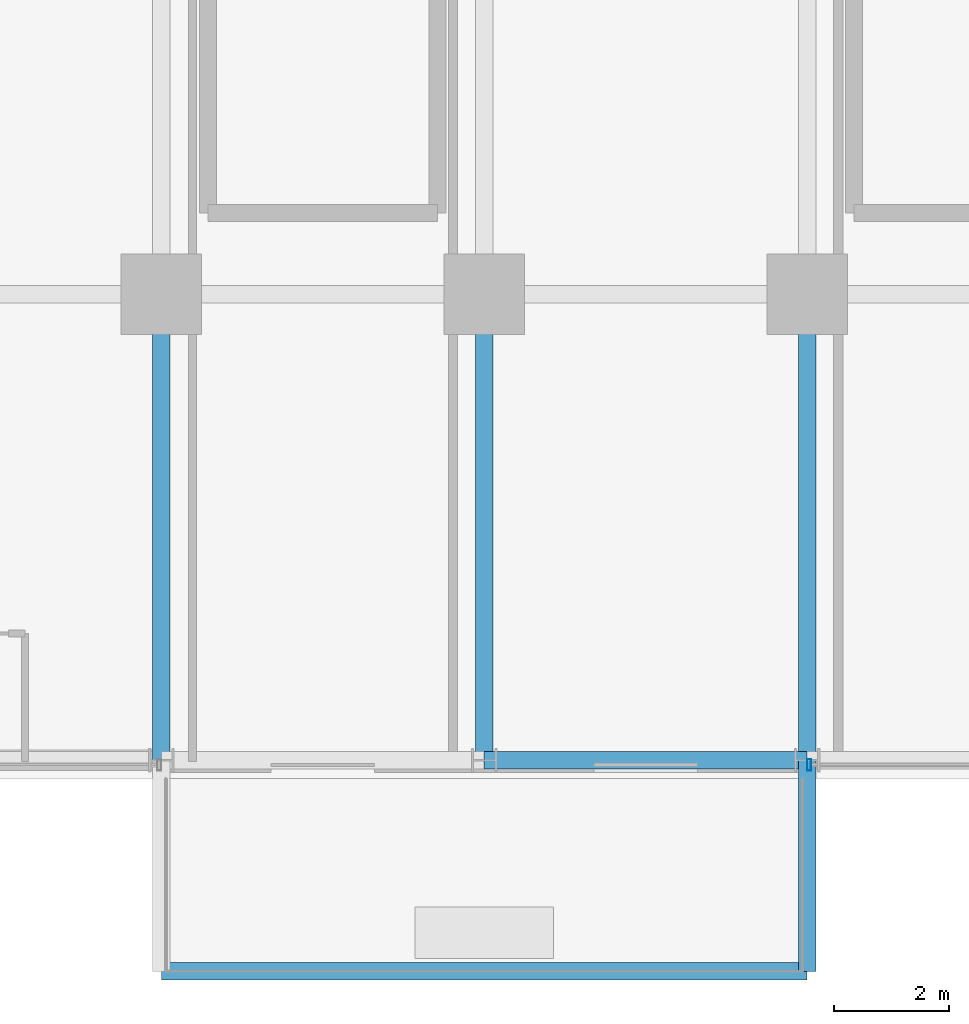
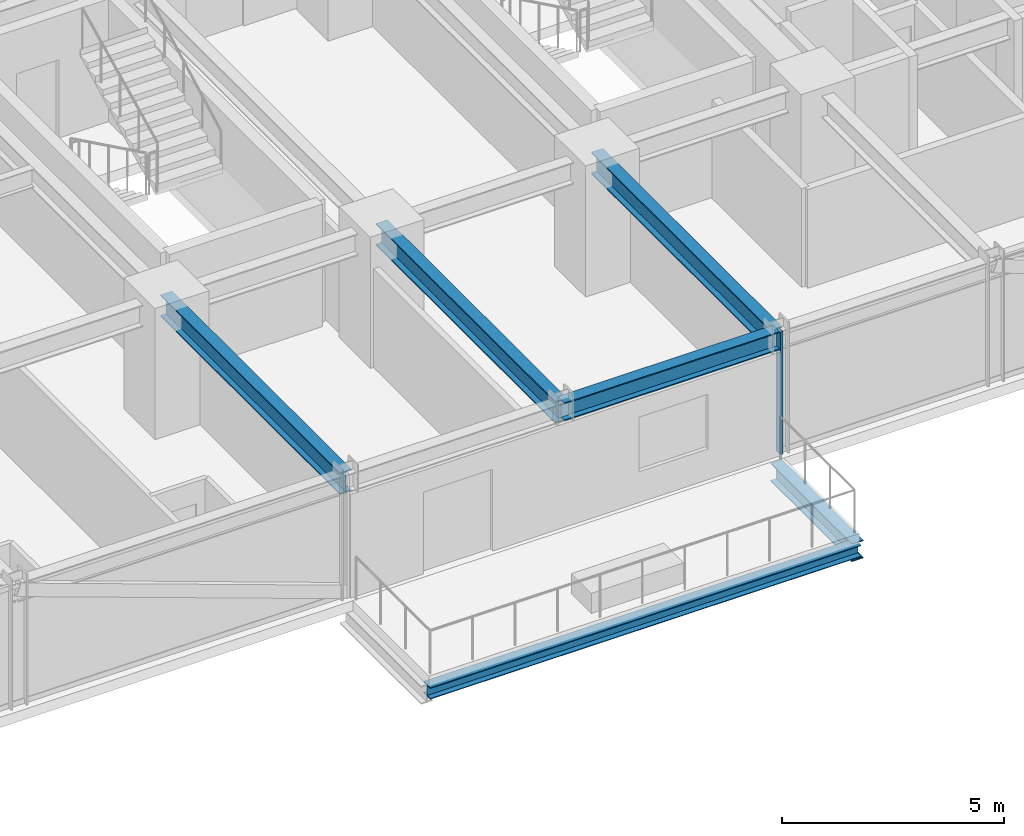
# One storey, part 6 of 38: 6 beams, 1 member, 1 element without a shape of its own.
"""IFC4 building model written with IfcOpenShell, lengths in metres."""

import ifcopenshell
import ifcopenshell.guid

model = None  # the IFC model being written
_history = None  # IfcOwnerHistory: only IFC2X3 demands one
_inside = {}  # id of a spatial element -> (the spatial element, [elements in it])
_under = {}  # id of a project, library or spatial element -> (it, [spatial elements below it])
_declared = {}  # id of a project -> (the project, [libraries it declares])
_typed = {}  # id of a type object -> (the type object, [elements of that type])
_made_of = {}  # id of a material, layer set ... -> (it, [elements and type objects made of it])


def new_model(schema):
    """Start an empty IFC model of exactly this schema.

    Asked for "IFC4X3", IfcOpenShell would pick the latest addendum, in which some entities
    have other attributes; the version numbers below select the first issue.
    IFC2X3 requires an IfcOwnerHistory on every rooted entity: one is made here for all.
    """
    global model, _history
    if schema == "IFC4X3":
        model = ifcopenshell.file(schema_version=(4, 3, 0, 0))
    else:
        model = ifcopenshell.file(schema=schema)
    _inside.clear()
    _under.clear()
    _declared.clear()
    _typed.clear()
    _made_of.clear()
    _history = None
    if model.schema == "IFC2X3":
        org = make("IfcOrganization", Name="unknown")
        user = make(
            "IfcPersonAndOrganization",
            ThePerson=make("IfcPerson", FamilyName="unknown"),
            TheOrganization=org,
        )
        app = make(
            "IfcApplication",
            ApplicationDeveloper=org,
            Version="unknown",
            ApplicationFullName="unknown",
            ApplicationIdentifier="unknown",
        )
        _history = make(
            "IfcOwnerHistory",
            OwningUser=user,
            OwningApplication=app,
            ChangeAction="ADDED",
            CreationDate=0,
        )
    return model


def make(cls, **values):
    """One entity of the class cls with the attributes given. An attribute that is None is left unset."""
    return model.create_entity(
        cls, **{name: value for name, value in values.items() if value is not None}
    )


def rooted(cls, **values):
    """An entity with a GlobalId (a new one), such as an element, a storey or a relation."""
    return make(cls, GlobalId=ifcopenshell.guid.new(), OwnerHistory=_history, **values)


def si_unit(unit_type, name, prefix=None):
    """IfcSIUnit, for example si_unit("LENGTHUNIT", "METRE", prefix="MILLI")."""
    return make("IfcSIUnit", UnitType=unit_type, Prefix=prefix, Name=name)


def assignment(units):
    """IfcUnitAssignment: the units of a project."""
    return None if units is None else make("IfcUnitAssignment", Units=units)


def point(xyz):
    """IfcCartesianPoint."""
    return None if xyz is None else make("IfcCartesianPoint", Coordinates=xyz)


def direction(xyz):
    """IfcDirection."""
    return None if xyz is None else make("IfcDirection", DirectionRatios=xyz)


def frame(location, z_axis=None, x_axis=None):
    """IfcAxis2Placement3D, a coordinate frame: its origin and axes. An axis left out is left unset."""
    return make(
        "IfcAxis2Placement3D",
        Location=point(location),
        Axis=direction(z_axis),
        RefDirection=direction(x_axis),
    )


def frame_2d(location, x_axis=None):
    """IfcAxis2Placement2D, a coordinate frame in the plane: its origin and x axis."""
    return make(
        "IfcAxis2Placement2D", Location=point(location), RefDirection=direction(x_axis)
    )


def origin():
    """The frame at (0, 0, 0) with its axes left unset."""
    return frame((0.0, 0.0, 0.0))


def origin_2d():
    """The frame at (0, 0) in the plane with its x axis left unset."""
    return frame_2d((0.0, 0.0))


def place(relative_to, where):
    """IfcLocalPlacement: puts the frame where relative to a parent placement (None: the world)."""
    return make(
        "IfcLocalPlacement", PlacementRelTo=relative_to, RelativePlacement=where
    )


def context(
    kind, dimensions, precision=None, world=None, true_north=None, identifier=None
):
    """IfcGeometricRepresentationContext, for example the 3D "Model" context."""
    return make(
        "IfcGeometricRepresentationContext",
        ContextIdentifier=identifier,
        ContextType=kind,
        CoordinateSpaceDimension=dimensions,
        Precision=precision,
        WorldCoordinateSystem=world,
        TrueNorth=true_north,
    )


def subcontext(parent, identifier, kind, view, scale=None):
    """IfcGeometricRepresentationSubContext, for example "Body" below "Model"."""
    return make(
        "IfcGeometricRepresentationSubContext",
        ContextIdentifier=identifier,
        ContextType=kind,
        ParentContext=parent,
        TargetScale=scale,
        TargetView=view,
    )


def project(units=None, contexts=None):
    """IfcProject with its units and contexts."""
    return rooted(
        "IfcProject",
        Name="project",
        RepresentationContexts=contexts,
        UnitsInContext=assignment(units),
    )


def spatial(cls, under=None, at=None, **own):
    """A site, building, storey or space (cls), placed at a placement, below another one or the project."""
    s = rooted(cls, ObjectPlacement=at, **own)
    if under is not None:
        _under.setdefault(under.id(), (under, []))[1].append(s)
    return s


def profile(cls, at=None, kind="AREA", **sizes):
    """A parametric profile (cls). Its sizes go by their IFC names, for example OverallWidth=200.0."""
    return make(cls, ProfileType=kind, Position=at, **sizes)


def hollow_rectangle(**sizes):
    """IfcRectangleHollowProfileDef."""
    return profile("IfcRectangleHollowProfileDef", **sizes)


def i_section(**sizes):
    """IfcIShapeProfileDef."""
    return profile("IfcIShapeProfileDef", **sizes)


def extrude(swept, where, along, depth):
    """IfcExtrudedAreaSolid: the profile swept, set in the frame where, extruded along a direction by depth."""
    return make(
        "IfcExtrudedAreaSolid",
        SweptArea=swept,
        Position=where,
        ExtrudedDirection=direction(along),
        Depth=depth,
    )


def shape(context_of_items, identifier, shape_type, items):
    """IfcShapeRepresentation: the items that make up one representation, for example the "Body"."""
    return make(
        "IfcShapeRepresentation",
        ContextOfItems=context_of_items,
        RepresentationIdentifier=identifier,
        RepresentationType=shape_type,
        Items=items,
    )


def source(mapping_origin, context_of_items, identifier, shape_type, items):
    """IfcRepresentationMap: a shape defined once, which mapped items show again and again."""
    return make(
        "IfcRepresentationMap",
        MappingOrigin=mapping_origin,
        MappedRepresentation=shape(context_of_items, identifier, shape_type, items),
    )


def transform(
    local_origin,
    x_axis=None,
    y_axis=None,
    z_axis=None,
    scale=None,
    scale2=None,
    scale3=None,
    uniform=True,
):
    """IfcCartesianTransformationOperator3D, or its non-uniform kind. x_axis, y_axis, z_axis: its Axis1, 2, 3."""
    if uniform:
        return make(
            "IfcCartesianTransformationOperator3D",
            Axis1=direction(x_axis),
            Axis2=direction(y_axis),
            LocalOrigin=point(local_origin),
            Scale=scale,
            Axis3=direction(z_axis),
        )
    return make(
        "IfcCartesianTransformationOperator3DnonUniform",
        Axis1=direction(x_axis),
        Axis2=direction(y_axis),
        LocalOrigin=point(local_origin),
        Scale=scale,
        Axis3=direction(z_axis),
        Scale2=scale2,
        Scale3=scale3,
    )


def mapped(mapping_source, mapping_target):
    """IfcMappedItem: shows the shape of a source again, moved by a transform."""
    return make(
        "IfcMappedItem", MappingSource=mapping_source, MappingTarget=mapping_target
    )


def material(Name=None, Category=None):
    """IfcMaterial."""
    return make("IfcMaterial", Name=Name, Category=Category)


def material_profile(
    of_material, cross_section, Name=None, Category=None, Priority=None
):
    """IfcMaterialProfile: a cross section and its material."""
    return make(
        "IfcMaterialProfile",
        Name=Name,
        Material=of_material,
        Profile=cross_section,
        Priority=Priority,
        Category=Category,
    )


def profile_set(profiles, Name=None, composite=None):
    """IfcMaterialProfileSet."""
    return make(
        "IfcMaterialProfileSet",
        Name=Name,
        MaterialProfiles=profiles,
        CompositeProfile=composite,
    )


def made_of(thing, what):
    """Note that an element or type object is made of a material, layer set ...; save() writes the relation."""
    if what is not None:
        _made_of.setdefault(what.id(), (what, []))[1].append(thing)
    return thing


def type_object(cls, material=None, **own):
    """A type object (cls), such as IfcWallType, which elements share."""
    return made_of(rooted(cls, **own), material)


def element(
    cls,
    number,
    at=None,
    inside=None,
    cuts=None,
    type_object=None,
    material=None,
    context=None,
    identifier="Body",
    shape_type=None,
    held_by="IfcProductDefinitionShape",
    body=None,
    shapes=None,
    **own,
):
    """One element of the class cls, such as IfcWall. Its Tag is "e" and its number.

    at: its placement. inside: the storey or other place that contains it. cuts: it is an
    opening in that element (IfcRelVoidsElement). A single representation is given by context,
    identifier, shape_type and body (its items); several are given by shapes. held_by: the class
    of the entity that holds the representations. save() writes the other relations.
    """
    e = rooted(cls, Tag="e%d" % number, ObjectPlacement=at, **own)
    if body is not None:
        shapes = [shape(context, identifier, shape_type, body)]
    if shapes is not None:
        e.Representation = make(held_by, Representations=shapes)
    if inside is not None:
        _inside.setdefault(inside.id(), (inside, []))[1].append(e)
    if cuts is not None:
        rooted(
            "IfcRelVoidsElement", RelatingBuildingElement=cuts, RelatedOpeningElement=e
        )
    if type_object is not None:
        _typed.setdefault(type_object.id(), (type_object, []))[1].append(e)
    return made_of(e, material)


def aggregate(whole, parts):
    """IfcRelAggregates: a whole, such as a stair, and the parts it consists of."""
    return rooted("IfcRelAggregates", RelatingObject=whole, RelatedObjects=parts)


def save(model, path):
    """Write the relations noted so far, then the file.

    IfcRelAggregates (storeys below a building ...), IfcRelContainedInSpatialStructure (elements
    in a storey), IfcRelDefinesByType, IfcRelAssociatesMaterial and IfcRelDeclares: one each for
    every whole, place, type object, material and project.
    """
    for whole, parts in _under.values():
        aggregate(whole, parts)
    for where, things in _inside.values():
        rooted(
            "IfcRelContainedInSpatialStructure",
            RelatedElements=things,
            RelatingStructure=where,
        )
    for kind, things in _typed.values():
        rooted("IfcRelDefinesByType", RelatedObjects=things, RelatingType=kind)
    for what, things in _made_of.values():
        rooted("IfcRelAssociatesMaterial", RelatedObjects=things, RelatingMaterial=what)
    for by, libraries in _declared.values():
        rooted("IfcRelDeclares", RelatingContext=by, RelatedDefinitions=libraries)
    model.write(path)


model = new_model("IFC4")

# Units and contexts
model_context = context("Model", 3, precision=1e-05, world=origin(), true_north=direction((0.0, 1.0)))
body_context = subcontext(model_context, "Body", "Model", "MODEL_VIEW")
ifc_project = project(units=[si_unit("LENGTHUNIT", "METRE"), si_unit("AREAUNIT", "SQUARE_METRE"), si_unit("VOLUMEUNIT", "CUBIC_METRE"), si_unit("PLANEANGLEUNIT", "RADIAN"), si_unit("MASSUNIT", "GRAM", prefix="KILO")], contexts=[model_context])

# Site, building, storey
site_placement = place(None, origin())
site = spatial("IfcSite", under=ifc_project, at=site_placement, CompositionType="ELEMENT")
building_placement = place(site_placement, origin())
building = spatial("IfcBuilding", under=site, at=building_placement, Name="Nahalor Promenade Grand Hotel", CompositionType="ELEMENT")
storey_placement = place(building_placement, frame((0.0, 0.0, 50.64990234375)))
storey = spatial("IfcBuildingStorey", under=building, at=storey_placement, Name="L11", CompositionType="ELEMENT", Elevation=50.64990234375)

# Beams
ifc_material_1 = material(Name="Steel S355JR", Category="steel")
ifc_material_profile_1 = material_profile(ifc_material_1, i_section(OverallWidth=0.3, OverallDepth=0.32, WebThickness=0.0115, FlangeThickness=0.0205, at=origin_2d()), Name="HEB 320")
ifc_profile_set_1 = profile_set([ifc_material_profile_1], Name="Steel S355JR")
beam_type_1 = type_object("IfcBeamType", Name="Beam-BalcEdge-HEB320", PredefinedType="SPANDREL", material=ifc_profile_set_1)
shared_shape_1 = source(origin(), body_context, "Body", "SweptSolid", [
    extrude(i_section(OverallWidth=0.3, OverallDepth=0.32, WebThickness=0.0115, FlangeThickness=0.0205, at=origin_2d()), origin(), (0.0, 0.0, 1.0), 11.199951171875),
])
beam_1_placement = place(storey_placement, frame((-8.39990234375, -28.739990234375, -0.43994140625), z_axis=(1.0, 0.0, 0.0), x_axis=(0.0, 1.0, 0.0)))
element("IfcBeam", 1, at=beam_1_placement, inside=storey, type_object=beam_type_1, Name="BM-L11-BC-01-F", PredefinedType="SPANDREL", context=body_context, shape_type="MappedRepresentation", body=[
    mapped(shared_shape_1, transform((0.0, 0.0, 0.0), scale=1.0)),
])
ifc_material_profile_2 = material_profile(ifc_material_1, i_section(OverallWidth=0.3, OverallDepth=0.5, WebThickness=0.0145, FlangeThickness=0.028, at=origin_2d()), Name="HEB 500")
ifc_profile_set_2 = profile_set([ifc_material_profile_2], Name="Steel S355JR")
beam_type_2 = type_object("IfcBeamType", Name="Beam-Outrigger-HEB500", PredefinedType="BEAM", material=ifc_profile_set_2)
shared_shape_2 = source(origin(), body_context, "Body", "SweptSolid", [
    extrude(i_section(OverallWidth=0.3, OverallDepth=0.5, WebThickness=0.0145, FlangeThickness=0.028, at=origin_2d()), origin(), (0.0, 0.0, 1.0), 3.659912109375),
])
beam_2_placement = place(storey_placement, frame((2.800048828125, -28.739990234375, -0.52978515625), z_axis=(0.0, 1.0, 0.0), x_axis=(-1.0, 0.0, 0.0)))
element("IfcBeam", 2, at=beam_2_placement, inside=storey, type_object=beam_type_2, Name="BM-L11-BC-01-2", PredefinedType="BEAM", context=body_context, shape_type="MappedRepresentation", body=[
    mapped(shared_shape_2, transform((0.0, 0.0, 0.0), scale=1.0)),
])
ifc_material_profile_3 = material_profile(ifc_material_1, i_section(OverallWidth=0.3, OverallDepth=0.5, WebThickness=0.0145, FlangeThickness=0.028, at=origin_2d()), Name="HEB 500")
ifc_profile_set_3 = profile_set([ifc_material_profile_3], Name="Steel S355JR")
beam_type_3 = type_object("IfcBeamType", Name="Beam-Spandrel-HEB500", PredefinedType="SPANDREL", material=ifc_profile_set_3)
shared_shape_3 = source(origin(), body_context, "Body", "SweptSolid", [
    extrude(i_section(OverallWidth=0.3, OverallDepth=0.5, WebThickness=0.0145, FlangeThickness=0.028, at=origin_2d()), origin(), (0.0, 0.0, 1.0), 5.60009765625),
])
beam_3_placement = place(storey_placement, frame((-2.800048828125, -25.080078125, 3.1201171875), z_axis=(1.0, 0.0, 0.0), x_axis=(0.0, 1.0, 0.0)))
element("IfcBeam", 3, at=beam_3_placement, inside=storey, type_object=beam_type_3, Name="BM-L11-SP-S-2", PredefinedType="SPANDREL", context=body_context, shape_type="MappedRepresentation", body=[
    mapped(shared_shape_3, transform((0.0, 0.0, 0.0), scale=1.0)),
])
ifc_material_profile_4 = material_profile(ifc_material_1, i_section(OverallWidth=0.3, OverallDepth=0.6, WebThickness=0.0155, FlangeThickness=0.03, at=origin_2d()), Name="HEB 600")
ifc_profile_set_4 = profile_set([ifc_material_profile_4], Name="Steel S355JR")
beam_type_4 = type_object("IfcBeamType", Name="Beam-Girder-HEB600", PredefinedType="BEAM", material=ifc_profile_set_4)
shared_shape_4 = source(origin(), body_context, "Body", "SweptSolid", [
    extrude(i_section(OverallWidth=0.3, OverallDepth=0.6, WebThickness=0.0155, FlangeThickness=0.03, at=origin_2d()), origin(), (0.0, 0.0, 1.0), 8.080078125),
])
for number, where, z_axis, x_axis, name in (
    (4, (-8.39990234375, -25.080078125, 3.070068359375), (0.0, 1.0, 0.0), (-1.0, 0.0, 0.0), "BM-L11-GY-1-0"),
    (5, (-2.800048828125, -25.080078125, 3.070068359375), (0.0, 1.0, 0.0), (-1.0, 0.0, 0.0), "BM-L11-GY-2-0"),
    (6, (2.800048828125, -25.080078125, 3.070068359375), (0.0, 1.0, 0.0), (-1.0, 0.0, 0.0), "BM-L11-GY-3-0"),
):
    element("IfcBeam", number, at=place(storey_placement, frame(where, z_axis=z_axis, x_axis=x_axis)), inside=storey, type_object=beam_type_4, Name=name, PredefinedType="BEAM", context=body_context, shape_type="MappedRepresentation", body=[
        mapped(shared_shape_4, transform((0.0, 0.0, 0.0), scale=1.0)),
    ])

# Curtain wall, member
ifc_material_2 = material(Name="Anodised Bronze Aluminium EN AW-6063 T6", Category="aluminium")
curtain_wall_type = type_object("IfcCurtainWallType", Name="CW3 Elliptical-Void Collar Unitised Curtain Wall", PredefinedType="USERDEFINED", material=ifc_material_2)
curtain_wall_placement = place(storey_placement, origin())
curtain_wall = element("IfcCurtainWall", 7, at=curtain_wall_placement, inside=storey, type_object=curtain_wall_type, Name="L11 Curtain Wall CW-L11-S-3", ObjectType="UNITISED_CURTAIN_WALL", PredefinedType="USERDEFINED")
ifc_material_profile_5 = material_profile(ifc_material_2, hollow_rectangle(XDim=0.07, YDim=0.2, WallThickness=0.005, at=origin_2d()), Name="CWM 70x200x5")
ifc_profile_set_5 = profile_set([ifc_material_profile_5], Name="Anodised Bronze Aluminium EN AW-6063 T6")
member_type = type_object("IfcMemberType", Name="CWM3 Void Collar Mullion 70x200", PredefinedType="MULLION", material=ifc_profile_set_5)
shared_shape_5 = source(origin(), body_context, "Body", "SweptSolid", [
    extrude(hollow_rectangle(XDim=0.07, YDim=0.2, WallThickness=0.005, at=origin_2d()), origin(), (0.0, 0.0, 1.0), 3.3701171875),
])
member_placement = place(storey_placement, frame((2.8349609375, -25.159912109375, 0.0), z_axis=(0.0, 0.0, 1.0), x_axis=(1.0, 0.0, 0.0)))
member = element("IfcMember", 8, at=member_placement, type_object=member_type, Name="CW-L11-S-3 Mullion 0", PredefinedType="MULLION", context=body_context, shape_type="MappedRepresentation", body=[
    mapped(shared_shape_5, transform((0.0, 0.0, 0.0), scale=1.0)),
])
aggregate(curtain_wall, [member])

save(model, "model.ifc")
